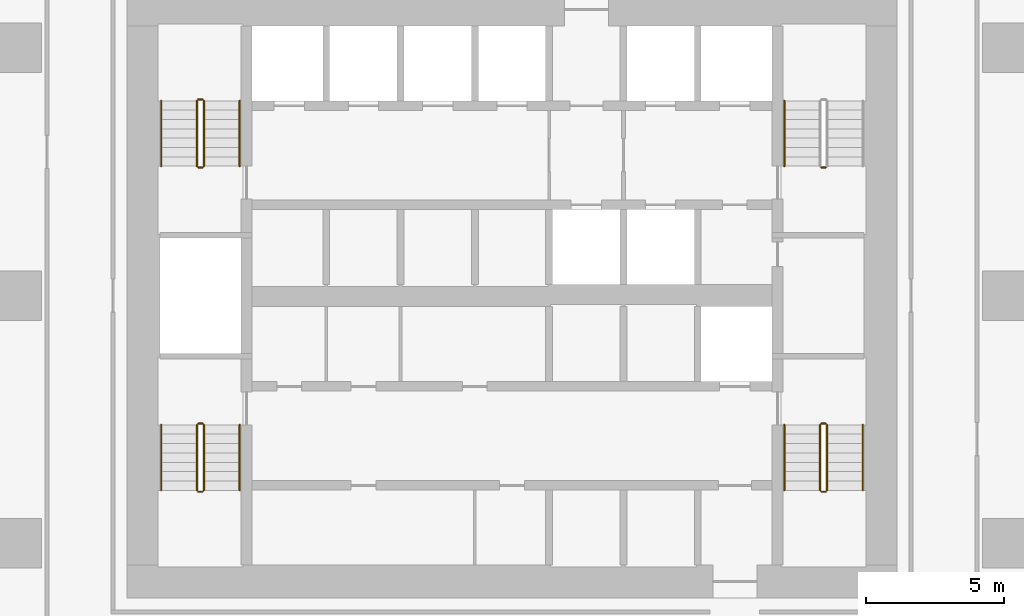
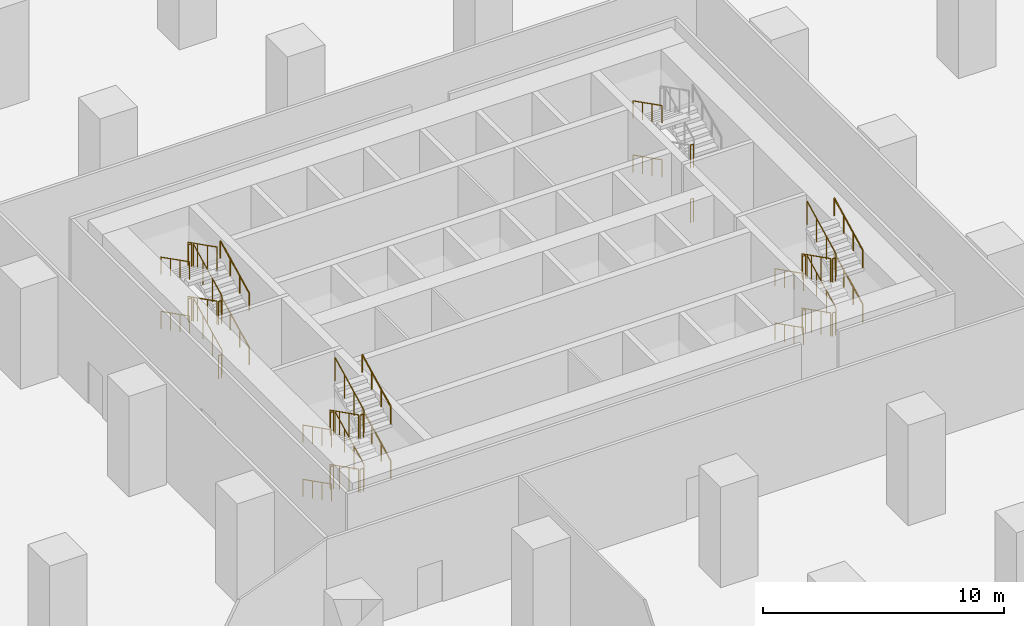
# One storey, part 8 of 9: 40 railings.
"""IFC4 building model written with IfcOpenShell, lengths in metres."""

import ifcopenshell
import ifcopenshell.guid

model = None  # the IFC model being written
_history = None  # IfcOwnerHistory: only IFC2X3 demands one
_inside = {}  # id of a spatial element -> (the spatial element, [elements in it])
_under = {}  # id of a project, library or spatial element -> (it, [spatial elements below it])
_declared = {}  # id of a project -> (the project, [libraries it declares])
_typed = {}  # id of a type object -> (the type object, [elements of that type])
_made_of = {}  # id of a material, layer set ... -> (it, [elements and type objects made of it])


def new_model(schema):
    """Start an empty IFC model of exactly this schema.

    Asked for "IFC4X3", IfcOpenShell would pick the latest addendum, in which some entities
    have other attributes; the version numbers below select the first issue.
    IFC2X3 requires an IfcOwnerHistory on every rooted entity: one is made here for all.
    """
    global model, _history
    if schema == "IFC4X3":
        model = ifcopenshell.file(schema_version=(4, 3, 0, 0))
    else:
        model = ifcopenshell.file(schema=schema)
    _inside.clear()
    _under.clear()
    _declared.clear()
    _typed.clear()
    _made_of.clear()
    _history = None
    if model.schema == "IFC2X3":
        org = make("IfcOrganization", Name="unknown")
        user = make(
            "IfcPersonAndOrganization",
            ThePerson=make("IfcPerson", FamilyName="unknown"),
            TheOrganization=org,
        )
        app = make(
            "IfcApplication",
            ApplicationDeveloper=org,
            Version="unknown",
            ApplicationFullName="unknown",
            ApplicationIdentifier="unknown",
        )
        _history = make(
            "IfcOwnerHistory",
            OwningUser=user,
            OwningApplication=app,
            ChangeAction="ADDED",
            CreationDate=0,
        )
    return model


def make(cls, **values):
    """One entity of the class cls with the attributes given. An attribute that is None is left unset."""
    return model.create_entity(
        cls, **{name: value for name, value in values.items() if value is not None}
    )


def rooted(cls, **values):
    """An entity with a GlobalId (a new one), such as an element, a storey or a relation."""
    return make(cls, GlobalId=ifcopenshell.guid.new(), OwnerHistory=_history, **values)


def si_unit(unit_type, name, prefix=None):
    """IfcSIUnit, for example si_unit("LENGTHUNIT", "METRE", prefix="MILLI")."""
    return make("IfcSIUnit", UnitType=unit_type, Prefix=prefix, Name=name)


def assignment(units):
    """IfcUnitAssignment: the units of a project."""
    return None if units is None else make("IfcUnitAssignment", Units=units)


def point(xyz):
    """IfcCartesianPoint."""
    return None if xyz is None else make("IfcCartesianPoint", Coordinates=xyz)


def direction(xyz):
    """IfcDirection."""
    return None if xyz is None else make("IfcDirection", DirectionRatios=xyz)


def frame(location, z_axis=None, x_axis=None):
    """IfcAxis2Placement3D, a coordinate frame: its origin and axes. An axis left out is left unset."""
    return make(
        "IfcAxis2Placement3D",
        Location=point(location),
        Axis=direction(z_axis),
        RefDirection=direction(x_axis),
    )


def frame_2d(location, x_axis=None):
    """IfcAxis2Placement2D, a coordinate frame in the plane: its origin and x axis."""
    return make(
        "IfcAxis2Placement2D", Location=point(location), RefDirection=direction(x_axis)
    )


def origin():
    """The frame at (0, 0, 0) with its axes left unset."""
    return frame((0.0, 0.0, 0.0))


def origin_2d():
    """The frame at (0, 0) in the plane with its x axis left unset."""
    return frame_2d((0.0, 0.0))


def place(relative_to, where):
    """IfcLocalPlacement: puts the frame where relative to a parent placement (None: the world)."""
    return make(
        "IfcLocalPlacement", PlacementRelTo=relative_to, RelativePlacement=where
    )


def context(
    kind, dimensions, precision=None, world=None, true_north=None, identifier=None
):
    """IfcGeometricRepresentationContext, for example the 3D "Model" context."""
    return make(
        "IfcGeometricRepresentationContext",
        ContextIdentifier=identifier,
        ContextType=kind,
        CoordinateSpaceDimension=dimensions,
        Precision=precision,
        WorldCoordinateSystem=world,
        TrueNorth=true_north,
    )


def subcontext(parent, identifier, kind, view, scale=None):
    """IfcGeometricRepresentationSubContext, for example "Body" below "Model"."""
    return make(
        "IfcGeometricRepresentationSubContext",
        ContextIdentifier=identifier,
        ContextType=kind,
        ParentContext=parent,
        TargetScale=scale,
        TargetView=view,
    )


def project(units=None, contexts=None):
    """IfcProject with its units and contexts."""
    return rooted(
        "IfcProject",
        Name="project",
        RepresentationContexts=contexts,
        UnitsInContext=assignment(units),
    )


def spatial(cls, under=None, at=None, **own):
    """A site, building, storey or space (cls), placed at a placement, below another one or the project."""
    s = rooted(cls, ObjectPlacement=at, **own)
    if under is not None:
        _under.setdefault(under.id(), (under, []))[1].append(s)
    return s


def profile(cls, at=None, kind="AREA", **sizes):
    """A parametric profile (cls). Its sizes go by their IFC names, for example OverallWidth=200.0."""
    return make(cls, ProfileType=kind, Position=at, **sizes)


def circle(**sizes):
    """IfcCircleProfileDef."""
    return profile("IfcCircleProfileDef", **sizes)


def extrude(swept, where, along, depth):
    """IfcExtrudedAreaSolid: the profile swept, set in the frame where, extruded along a direction by depth."""
    return make(
        "IfcExtrudedAreaSolid",
        SweptArea=swept,
        Position=where,
        ExtrudedDirection=direction(along),
        Depth=depth,
    )


def shape(context_of_items, identifier, shape_type, items):
    """IfcShapeRepresentation: the items that make up one representation, for example the "Body"."""
    return make(
        "IfcShapeRepresentation",
        ContextOfItems=context_of_items,
        RepresentationIdentifier=identifier,
        RepresentationType=shape_type,
        Items=items,
    )


def material(Name=None, Category=None):
    """IfcMaterial."""
    return make("IfcMaterial", Name=Name, Category=Category)


def made_of(thing, what):
    """Note that an element or type object is made of a material, layer set ...; save() writes the relation."""
    if what is not None:
        _made_of.setdefault(what.id(), (what, []))[1].append(thing)
    return thing


def type_object(cls, material=None, **own):
    """A type object (cls), such as IfcWallType, which elements share."""
    return made_of(rooted(cls, **own), material)


def element(
    cls,
    number,
    at=None,
    inside=None,
    cuts=None,
    type_object=None,
    material=None,
    context=None,
    identifier="Body",
    shape_type=None,
    held_by="IfcProductDefinitionShape",
    body=None,
    shapes=None,
    **own,
):
    """One element of the class cls, such as IfcWall. Its Tag is "e" and its number.

    at: its placement. inside: the storey or other place that contains it. cuts: it is an
    opening in that element (IfcRelVoidsElement). A single representation is given by context,
    identifier, shape_type and body (its items); several are given by shapes. held_by: the class
    of the entity that holds the representations. save() writes the other relations.
    """
    e = rooted(cls, Tag="e%d" % number, ObjectPlacement=at, **own)
    if body is not None:
        shapes = [shape(context, identifier, shape_type, body)]
    if shapes is not None:
        e.Representation = make(held_by, Representations=shapes)
    if inside is not None:
        _inside.setdefault(inside.id(), (inside, []))[1].append(e)
    if cuts is not None:
        rooted(
            "IfcRelVoidsElement", RelatingBuildingElement=cuts, RelatedOpeningElement=e
        )
    if type_object is not None:
        _typed.setdefault(type_object.id(), (type_object, []))[1].append(e)
    return made_of(e, material)


def aggregate(whole, parts):
    """IfcRelAggregates: a whole, such as a stair, and the parts it consists of."""
    return rooted("IfcRelAggregates", RelatingObject=whole, RelatedObjects=parts)


def save(model, path):
    """Write the relations noted so far, then the file.

    IfcRelAggregates (storeys below a building ...), IfcRelContainedInSpatialStructure (elements
    in a storey), IfcRelDefinesByType, IfcRelAssociatesMaterial and IfcRelDeclares: one each for
    every whole, place, type object, material and project.
    """
    for whole, parts in _under.values():
        aggregate(whole, parts)
    for where, things in _inside.values():
        rooted(
            "IfcRelContainedInSpatialStructure",
            RelatedElements=things,
            RelatingStructure=where,
        )
    for kind, things in _typed.values():
        rooted("IfcRelDefinesByType", RelatedObjects=things, RelatingType=kind)
    for what, things in _made_of.values():
        rooted("IfcRelAssociatesMaterial", RelatedObjects=things, RelatingMaterial=what)
    for by, libraries in _declared.values():
        rooted("IfcRelDeclares", RelatingContext=by, RelatedDefinitions=libraries)
    model.write(path)


model = new_model("IFC4")

# Units and contexts
model_context = context("Model", 3, precision=1e-05, world=origin(), true_north=direction((0.0, 1.0)))
body_context = subcontext(model_context, "Body", "Model", "MODEL_VIEW")
ifc_project = project(units=[si_unit("LENGTHUNIT", "METRE"), si_unit("AREAUNIT", "SQUARE_METRE"), si_unit("VOLUMEUNIT", "CUBIC_METRE"), si_unit("PLANEANGLEUNIT", "RADIAN"), si_unit("MASSUNIT", "GRAM", prefix="KILO")], contexts=[model_context])

# Site, building, storey
site_placement = place(None, origin())
site = spatial("IfcSite", under=ifc_project, at=site_placement, CompositionType="ELEMENT")
building_placement = place(site_placement, origin())
building = spatial("IfcBuilding", under=site, at=building_placement, Name="Dongbaek Canopy Tower", CompositionType="ELEMENT")
storey_placement = place(building_placement, frame((0.0, 0.0, -11.5)))
storey = spatial("IfcBuildingStorey", under=building, at=storey_placement, Name="B2", CompositionType="ELEMENT", Elevation=-11.5)

# Railings
ifc_material_1 = material(Name="Stainless steel tube and balusters", Category="steel")
railing_type_1 = type_object("IfcRailingType", Name="Stair guard 1200", PredefinedType="GUARDRAIL", material=ifc_material_1)
for number, where, name in (
    (1, (11.39990234375, 4.64990234375, 2.75), "B2 ST-A stair guard 4"),
    (2, (11.39990234375, 4.64990234375, 0.0), "B2 ST-A stair guard 8"),
):
    element("IfcRailing", number, at=place(storey_placement, frame(where)), inside=storey, type_object=railing_type_1, Name=name, PredefinedType="GUARDRAIL", context=body_context, shape_type="SweptSolid", body=[
        extrude(circle(Radius=0.02392578125, at=origin_2d()), frame((0.0, 0.0, 1.17578125), z_axis=(-1.0, 0.0, 0.0), x_axis=(0.0, -1.0, 0.0)), (0.0, 0.0, 1.0), 0.14990234375),
        extrude(circle(Radius=0.02099609375, at=origin_2d()), origin(), (0.0, 0.0, 1.0), 1.15185546875),
        extrude(circle(Radius=0.02099609375, at=origin_2d()), frame((-0.14990234375, 0.0, 0.0)), (0.0, 0.0, 1.0), 1.15185546875),
    ])
railing_1_placement = place(storey_placement, frame((-11.199951171875, 4.699951171875, 0.171875)))
element("IfcRailing", 3, at=railing_1_placement, inside=storey, type_object=railing_type_1, Name="B2 ST-C stair guard 1", PredefinedType="GUARDRAIL", context=body_context, shape_type="SweptSolid", body=[
    extrude(circle(Radius=0.02392578125, at=origin_2d()), frame((0.0, 0.0, 1.17578125), z_axis=(0.0, 0.89245957406, 0.451127375215), x_axis=(-1.0, 0.0, 0.0)), (0.0, 0.0, 1.0), 2.6669921875),
    extrude(circle(Radius=0.02099609375, at=origin_2d()), origin(), (0.0, 0.0, 1.0), 1.15185546875),
    extrude(circle(Radius=0.02099609375, at=origin_2d()), frame((0.0, 0.79345703125, 0.401123046875)), (0.0, 0.0, 1.0), 1.15185546875),
    extrude(circle(Radius=0.02099609375, at=origin_2d()), frame((0.0, 1.586669921875, 0.802001953125)), (0.0, 0.0, 1.0), 1.15185546875),
    extrude(circle(Radius=0.02099609375, at=origin_2d()), frame((0.0, 2.380126953125, 1.203125)), (0.0, 0.0, 1.0), 1.15185546875),
])
railing_2_placement = place(storey_placement, frame((-11.25, 7.1298828125, 1.375)))
element("IfcRailing", 4, at=railing_2_placement, inside=storey, type_object=railing_type_1, Name="B2 ST-C stair guard 2", PredefinedType="GUARDRAIL", context=body_context, shape_type="SweptSolid", body=[
    extrude(circle(Radius=0.02392578125, at=origin_2d()), frame((0.0, 0.0, 1.17578125), z_axis=(-1.0, 0.0, 0.0), x_axis=(0.0, -1.0, 0.0)), (0.0, 0.0, 1.0), 0.14990234375),
    extrude(circle(Radius=0.02099609375, at=origin_2d()), origin(), (0.0, 0.0, 1.0), 1.15185546875),
    extrude(circle(Radius=0.02099609375, at=origin_2d()), frame((-0.14990234375, 0.0, 0.0)), (0.0, 0.0, 1.0), 1.15185546875),
])
railing_3_placement = place(storey_placement, frame((-11.449951171875, 7.080078125, 1.546875)))
element("IfcRailing", 5, at=railing_3_placement, inside=storey, type_object=railing_type_1, Name="B2 ST-C stair guard 3", PredefinedType="GUARDRAIL", context=body_context, shape_type="SweptSolid", body=[
    extrude(circle(Radius=0.02392578125, at=origin_2d()), frame((0.0, 0.0, 1.17578125), z_axis=(0.0, -0.89245957406, 0.451127375215), x_axis=(1.0, 0.0, 0.0)), (0.0, 0.0, 1.0), 2.6669921875),
    extrude(circle(Radius=0.02099609375, at=origin_2d()), origin(), (0.0, 0.0, 1.0), 1.15185546875),
    extrude(circle(Radius=0.02099609375, at=origin_2d()), frame((0.0, -0.79345703125, 0.401123046875)), (0.0, 0.0, 1.0), 1.15185546875),
    extrude(circle(Radius=0.02099609375, at=origin_2d()), frame((0.0, -1.586669921875, 0.802001953125)), (0.0, 0.0, 1.0), 1.15185546875),
    extrude(circle(Radius=0.02099609375, at=origin_2d()), frame((0.0, -2.380126953125, 1.203125)), (0.0, 0.0, 1.0), 1.15185546875),
])
railing_4_placement = place(storey_placement, frame((-11.25, 4.64990234375, 2.75)))
element("IfcRailing", 6, at=railing_4_placement, inside=storey, type_object=railing_type_1, Name="B2 ST-C stair guard 4", PredefinedType="GUARDRAIL", context=body_context, shape_type="SweptSolid", body=[
    extrude(circle(Radius=0.02392578125, at=origin_2d()), frame((0.0, 0.0, 1.17578125), z_axis=(-1.0, 0.0, 0.0), x_axis=(0.0, -1.0, 0.0)), (0.0, 0.0, 1.0), 0.14990234375),
    extrude(circle(Radius=0.02099609375, at=origin_2d()), origin(), (0.0, 0.0, 1.0), 1.15185546875),
    extrude(circle(Radius=0.02099609375, at=origin_2d()), frame((-0.14990234375, 0.0, 0.0)), (0.0, 0.0, 1.0), 1.15185546875),
])
railing_5_placement = place(storey_placement, frame((-11.199951171875, 4.699951171875, 2.921875)))
element("IfcRailing", 7, at=railing_5_placement, inside=storey, type_object=railing_type_1, Name="B2 ST-C stair guard 5", PredefinedType="GUARDRAIL", context=body_context, shape_type="SweptSolid", body=[
    extrude(circle(Radius=0.02392578125, at=origin_2d()), frame((0.0, 0.0, 1.17578125), z_axis=(0.0, 0.89245957406, 0.451127375215), x_axis=(-1.0, 0.0, 0.0)), (0.0, 0.0, 1.0), 2.6669921875),
    extrude(circle(Radius=0.02099609375, at=origin_2d()), origin(), (0.0, 0.0, 1.0), 1.15185546875),
    extrude(circle(Radius=0.02099609375, at=origin_2d()), frame((0.0, 0.79345703125, 0.401123046875)), (0.0, 0.0, 1.0), 1.15185546875),
    extrude(circle(Radius=0.02099609375, at=origin_2d()), frame((0.0, 1.586669921875, 0.802001953125)), (0.0, 0.0, 1.0), 1.15185546875),
    extrude(circle(Radius=0.02099609375, at=origin_2d()), frame((0.0, 2.380126953125, 1.203125)), (0.0, 0.0, 1.0), 1.15185546875),
])
railing_6_placement = place(storey_placement, frame((-11.25, 7.1298828125, 4.125)))
element("IfcRailing", 8, at=railing_6_placement, inside=storey, type_object=railing_type_1, Name="B2 ST-C stair guard 6", PredefinedType="GUARDRAIL", context=body_context, shape_type="SweptSolid", body=[
    extrude(circle(Radius=0.02392578125, at=origin_2d()), frame((0.0, 0.0, 1.17578125), z_axis=(-1.0, 0.0, 0.0), x_axis=(0.0, -1.0, 0.0)), (0.0, 0.0, 1.0), 0.14990234375),
    extrude(circle(Radius=0.02099609375, at=origin_2d()), origin(), (0.0, 0.0, 1.0), 1.15185546875),
    extrude(circle(Radius=0.02099609375, at=origin_2d()), frame((-0.14990234375, 0.0, 0.0)), (0.0, 0.0, 1.0), 1.15185546875),
])
railing_7_placement = place(storey_placement, frame((-11.449951171875, 7.080078125, 4.296875)))
element("IfcRailing", 9, at=railing_7_placement, inside=storey, type_object=railing_type_1, Name="B2 ST-C stair guard 7", PredefinedType="GUARDRAIL", context=body_context, shape_type="SweptSolid", body=[
    extrude(circle(Radius=0.02392578125, at=origin_2d()), frame((0.0, 0.0, 1.17578125), z_axis=(0.0, -0.89245957406, 0.451127375215), x_axis=(1.0, 0.0, 0.0)), (0.0, 0.0, 1.0), 2.6669921875),
    extrude(circle(Radius=0.02099609375, at=origin_2d()), origin(), (0.0, 0.0, 1.0), 1.15185546875),
    extrude(circle(Radius=0.02099609375, at=origin_2d()), frame((0.0, -0.79345703125, 0.401123046875)), (0.0, 0.0, 1.0), 1.15185546875),
    extrude(circle(Radius=0.02099609375, at=origin_2d()), frame((0.0, -1.586669921875, 0.802001953125)), (0.0, 0.0, 1.0), 1.15185546875),
    extrude(circle(Radius=0.02099609375, at=origin_2d()), frame((0.0, -2.380126953125, 1.203125)), (0.0, 0.0, 1.0), 1.15185546875),
])
railing_8_placement = place(storey_placement, frame((-11.25, 4.64990234375, 0.0)))
element("IfcRailing", 10, at=railing_8_placement, inside=storey, type_object=railing_type_1, Name="B2 ST-C stair guard 8", PredefinedType="GUARDRAIL", context=body_context, shape_type="SweptSolid", body=[
    extrude(circle(Radius=0.02392578125, at=origin_2d()), frame((0.0, 0.0, 1.17578125), z_axis=(-1.0, 0.0, 0.0), x_axis=(0.0, -1.0, 0.0)), (0.0, 0.0, 1.0), 0.14990234375),
    extrude(circle(Radius=0.02099609375, at=origin_2d()), origin(), (0.0, 0.0, 1.0), 1.15185546875),
    extrude(circle(Radius=0.02099609375, at=origin_2d()), frame((-0.14990234375, 0.0, 0.0)), (0.0, 0.0, 1.0), 1.15185546875),
])
railing_9_placement = place(storey_placement, frame((11.199951171875, -4.699951171875, 0.171875)))
element("IfcRailing", 11, at=railing_9_placement, inside=storey, type_object=railing_type_1, Name="B2 ST-B stair guard 1", PredefinedType="GUARDRAIL", context=body_context, shape_type="SweptSolid", body=[
    extrude(circle(Radius=0.02392578125, at=origin_2d()), frame((0.0, 0.0, 1.17578125), z_axis=(0.0, -0.89245957406, 0.451127375215), x_axis=(1.0, 0.0, 0.0)), (0.0, 0.0, 1.0), 2.6669921875),
    extrude(circle(Radius=0.02099609375, at=origin_2d()), origin(), (0.0, 0.0, 1.0), 1.15185546875),
    extrude(circle(Radius=0.02099609375, at=origin_2d()), frame((0.0, -0.79345703125, 0.401123046875)), (0.0, 0.0, 1.0), 1.15185546875),
    extrude(circle(Radius=0.02099609375, at=origin_2d()), frame((0.0, -1.586669921875, 0.802001953125)), (0.0, 0.0, 1.0), 1.15185546875),
    extrude(circle(Radius=0.02099609375, at=origin_2d()), frame((0.0, -2.380126953125, 1.203125)), (0.0, 0.0, 1.0), 1.15185546875),
])
railing_10_placement = place(storey_placement, frame((11.25, -7.1298828125, 1.375)))
element("IfcRailing", 12, at=railing_10_placement, inside=storey, type_object=railing_type_1, Name="B2 ST-B stair guard 2", PredefinedType="GUARDRAIL", context=body_context, shape_type="SweptSolid", body=[
    extrude(circle(Radius=0.02392578125, at=origin_2d()), frame((0.0, 0.0, 1.17578125), z_axis=(1.0, 0.0, 0.0), x_axis=(0.0, 1.0, 0.0)), (0.0, 0.0, 1.0), 0.14990234375),
    extrude(circle(Radius=0.02099609375, at=origin_2d()), origin(), (0.0, 0.0, 1.0), 1.15185546875),
    extrude(circle(Radius=0.02099609375, at=origin_2d()), frame((0.14990234375, 0.0, 0.0)), (0.0, 0.0, 1.0), 1.15185546875),
])
railing_11_placement = place(storey_placement, frame((11.449951171875, -7.080078125, 1.546875)))
element("IfcRailing", 13, at=railing_11_placement, inside=storey, type_object=railing_type_1, Name="B2 ST-B stair guard 3", PredefinedType="GUARDRAIL", context=body_context, shape_type="SweptSolid", body=[
    extrude(circle(Radius=0.02392578125, at=origin_2d()), frame((0.0, 0.0, 1.17578125), z_axis=(0.0, 0.89245957406, 0.451127375215), x_axis=(-1.0, 0.0, 0.0)), (0.0, 0.0, 1.0), 2.6669921875),
    extrude(circle(Radius=0.02099609375, at=origin_2d()), origin(), (0.0, 0.0, 1.0), 1.15185546875),
    extrude(circle(Radius=0.02099609375, at=origin_2d()), frame((0.0, 0.79345703125, 0.401123046875)), (0.0, 0.0, 1.0), 1.15185546875),
    extrude(circle(Radius=0.02099609375, at=origin_2d()), frame((0.0, 1.586669921875, 0.802001953125)), (0.0, 0.0, 1.0), 1.15185546875),
    extrude(circle(Radius=0.02099609375, at=origin_2d()), frame((0.0, 2.380126953125, 1.203125)), (0.0, 0.0, 1.0), 1.15185546875),
])
railing_12_placement = place(storey_placement, frame((11.25, -4.64990234375, 2.75)))
element("IfcRailing", 14, at=railing_12_placement, inside=storey, type_object=railing_type_1, Name="B2 ST-B stair guard 4", PredefinedType="GUARDRAIL", context=body_context, shape_type="SweptSolid", body=[
    extrude(circle(Radius=0.02392578125, at=origin_2d()), frame((0.0, 0.0, 1.17578125), z_axis=(1.0, 0.0, 0.0), x_axis=(0.0, 1.0, 0.0)), (0.0, 0.0, 1.0), 0.14990234375),
    extrude(circle(Radius=0.02099609375, at=origin_2d()), origin(), (0.0, 0.0, 1.0), 1.15185546875),
    extrude(circle(Radius=0.02099609375, at=origin_2d()), frame((0.14990234375, 0.0, 0.0)), (0.0, 0.0, 1.0), 1.15185546875),
])
railing_13_placement = place(storey_placement, frame((11.199951171875, -4.699951171875, 2.921875)))
element("IfcRailing", 15, at=railing_13_placement, inside=storey, type_object=railing_type_1, Name="B2 ST-B stair guard 5", PredefinedType="GUARDRAIL", context=body_context, shape_type="SweptSolid", body=[
    extrude(circle(Radius=0.02392578125, at=origin_2d()), frame((0.0, 0.0, 1.17578125), z_axis=(0.0, -0.89245957406, 0.451127375215), x_axis=(1.0, 0.0, 0.0)), (0.0, 0.0, 1.0), 2.6669921875),
    extrude(circle(Radius=0.02099609375, at=origin_2d()), origin(), (0.0, 0.0, 1.0), 1.15185546875),
    extrude(circle(Radius=0.02099609375, at=origin_2d()), frame((0.0, -0.79345703125, 0.401123046875)), (0.0, 0.0, 1.0), 1.15185546875),
    extrude(circle(Radius=0.02099609375, at=origin_2d()), frame((0.0, -1.586669921875, 0.802001953125)), (0.0, 0.0, 1.0), 1.15185546875),
    extrude(circle(Radius=0.02099609375, at=origin_2d()), frame((0.0, -2.380126953125, 1.203125)), (0.0, 0.0, 1.0), 1.15185546875),
])
railing_14_placement = place(storey_placement, frame((11.25, -7.1298828125, 4.125)))
element("IfcRailing", 16, at=railing_14_placement, inside=storey, type_object=railing_type_1, Name="B2 ST-B stair guard 6", PredefinedType="GUARDRAIL", context=body_context, shape_type="SweptSolid", body=[
    extrude(circle(Radius=0.02392578125, at=origin_2d()), frame((0.0, 0.0, 1.17578125), z_axis=(1.0, 0.0, 0.0), x_axis=(0.0, 1.0, 0.0)), (0.0, 0.0, 1.0), 0.14990234375),
    extrude(circle(Radius=0.02099609375, at=origin_2d()), origin(), (0.0, 0.0, 1.0), 1.15185546875),
    extrude(circle(Radius=0.02099609375, at=origin_2d()), frame((0.14990234375, 0.0, 0.0)), (0.0, 0.0, 1.0), 1.15185546875),
])
railing_15_placement = place(storey_placement, frame((11.449951171875, -7.080078125, 4.296875)))
element("IfcRailing", 17, at=railing_15_placement, inside=storey, type_object=railing_type_1, Name="B2 ST-B stair guard 7", PredefinedType="GUARDRAIL", context=body_context, shape_type="SweptSolid", body=[
    extrude(circle(Radius=0.02392578125, at=origin_2d()), frame((0.0, 0.0, 1.17578125), z_axis=(0.0, 0.89245957406, 0.451127375215), x_axis=(-1.0, 0.0, 0.0)), (0.0, 0.0, 1.0), 2.6669921875),
    extrude(circle(Radius=0.02099609375, at=origin_2d()), origin(), (0.0, 0.0, 1.0), 1.15185546875),
    extrude(circle(Radius=0.02099609375, at=origin_2d()), frame((0.0, 0.79345703125, 0.401123046875)), (0.0, 0.0, 1.0), 1.15185546875),
    extrude(circle(Radius=0.02099609375, at=origin_2d()), frame((0.0, 1.586669921875, 0.802001953125)), (0.0, 0.0, 1.0), 1.15185546875),
    extrude(circle(Radius=0.02099609375, at=origin_2d()), frame((0.0, 2.380126953125, 1.203125)), (0.0, 0.0, 1.0), 1.15185546875),
])
railing_16_placement = place(storey_placement, frame((11.25, -4.64990234375, 0.0)))
element("IfcRailing", 18, at=railing_16_placement, inside=storey, type_object=railing_type_1, Name="B2 ST-B stair guard 8", PredefinedType="GUARDRAIL", context=body_context, shape_type="SweptSolid", body=[
    extrude(circle(Radius=0.02392578125, at=origin_2d()), frame((0.0, 0.0, 1.17578125), z_axis=(1.0, 0.0, 0.0), x_axis=(0.0, 1.0, 0.0)), (0.0, 0.0, 1.0), 0.14990234375),
    extrude(circle(Radius=0.02099609375, at=origin_2d()), origin(), (0.0, 0.0, 1.0), 1.15185546875),
    extrude(circle(Radius=0.02099609375, at=origin_2d()), frame((0.14990234375, 0.0, 0.0)), (0.0, 0.0, 1.0), 1.15185546875),
])
railing_17_placement = place(storey_placement, frame((-11.449951171875, -4.699951171875, 0.171875)))
element("IfcRailing", 19, at=railing_17_placement, inside=storey, type_object=railing_type_1, Name="B2 ST-D stair guard 1", PredefinedType="GUARDRAIL", context=body_context, shape_type="SweptSolid", body=[
    extrude(circle(Radius=0.02392578125, at=origin_2d()), frame((0.0, 0.0, 1.17578125), z_axis=(0.0, -0.89245957406, 0.451127375215), x_axis=(1.0, 0.0, 0.0)), (0.0, 0.0, 1.0), 2.6669921875),
    extrude(circle(Radius=0.02099609375, at=origin_2d()), origin(), (0.0, 0.0, 1.0), 1.15185546875),
    extrude(circle(Radius=0.02099609375, at=origin_2d()), frame((0.0, -0.79345703125, 0.401123046875)), (0.0, 0.0, 1.0), 1.15185546875),
    extrude(circle(Radius=0.02099609375, at=origin_2d()), frame((0.0, -1.586669921875, 0.802001953125)), (0.0, 0.0, 1.0), 1.15185546875),
    extrude(circle(Radius=0.02099609375, at=origin_2d()), frame((0.0, -2.380126953125, 1.203125)), (0.0, 0.0, 1.0), 1.15185546875),
])
railing_18_placement = place(storey_placement, frame((-11.39990234375, -7.1298828125, 1.375)))
element("IfcRailing", 20, at=railing_18_placement, inside=storey, type_object=railing_type_1, Name="B2 ST-D stair guard 2", PredefinedType="GUARDRAIL", context=body_context, shape_type="SweptSolid", body=[
    extrude(circle(Radius=0.02392578125, at=origin_2d()), frame((0.0, 0.0, 1.17578125), z_axis=(1.0, 0.0, 0.0), x_axis=(0.0, 1.0, 0.0)), (0.0, 0.0, 1.0), 0.14990234375),
    extrude(circle(Radius=0.02099609375, at=origin_2d()), origin(), (0.0, 0.0, 1.0), 1.15185546875),
    extrude(circle(Radius=0.02099609375, at=origin_2d()), frame((0.14990234375, 0.0, 0.0)), (0.0, 0.0, 1.0), 1.15185546875),
])
railing_19_placement = place(storey_placement, frame((-11.199951171875, -7.080078125, 1.546875)))
element("IfcRailing", 21, at=railing_19_placement, inside=storey, type_object=railing_type_1, Name="B2 ST-D stair guard 3", PredefinedType="GUARDRAIL", context=body_context, shape_type="SweptSolid", body=[
    extrude(circle(Radius=0.02392578125, at=origin_2d()), frame((0.0, 0.0, 1.17578125), z_axis=(0.0, 0.89245957406, 0.451127375215), x_axis=(-1.0, 0.0, 0.0)), (0.0, 0.0, 1.0), 2.6669921875),
    extrude(circle(Radius=0.02099609375, at=origin_2d()), origin(), (0.0, 0.0, 1.0), 1.15185546875),
    extrude(circle(Radius=0.02099609375, at=origin_2d()), frame((0.0, 0.79345703125, 0.401123046875)), (0.0, 0.0, 1.0), 1.15185546875),
    extrude(circle(Radius=0.02099609375, at=origin_2d()), frame((0.0, 1.586669921875, 0.802001953125)), (0.0, 0.0, 1.0), 1.15185546875),
    extrude(circle(Radius=0.02099609375, at=origin_2d()), frame((0.0, 2.380126953125, 1.203125)), (0.0, 0.0, 1.0), 1.15185546875),
])
railing_20_placement = place(storey_placement, frame((-11.39990234375, -4.64990234375, 2.75)))
element("IfcRailing", 22, at=railing_20_placement, inside=storey, type_object=railing_type_1, Name="B2 ST-D stair guard 4", PredefinedType="GUARDRAIL", context=body_context, shape_type="SweptSolid", body=[
    extrude(circle(Radius=0.02392578125, at=origin_2d()), frame((0.0, 0.0, 1.17578125), z_axis=(1.0, 0.0, 0.0), x_axis=(0.0, 1.0, 0.0)), (0.0, 0.0, 1.0), 0.14990234375),
    extrude(circle(Radius=0.02099609375, at=origin_2d()), origin(), (0.0, 0.0, 1.0), 1.15185546875),
    extrude(circle(Radius=0.02099609375, at=origin_2d()), frame((0.14990234375, 0.0, 0.0)), (0.0, 0.0, 1.0), 1.15185546875),
])
railing_21_placement = place(storey_placement, frame((-11.449951171875, -4.699951171875, 2.921875)))
element("IfcRailing", 23, at=railing_21_placement, inside=storey, type_object=railing_type_1, Name="B2 ST-D stair guard 5", PredefinedType="GUARDRAIL", context=body_context, shape_type="SweptSolid", body=[
    extrude(circle(Radius=0.02392578125, at=origin_2d()), frame((0.0, 0.0, 1.17578125), z_axis=(0.0, -0.89245957406, 0.451127375215), x_axis=(1.0, 0.0, 0.0)), (0.0, 0.0, 1.0), 2.6669921875),
    extrude(circle(Radius=0.02099609375, at=origin_2d()), origin(), (0.0, 0.0, 1.0), 1.15185546875),
    extrude(circle(Radius=0.02099609375, at=origin_2d()), frame((0.0, -0.79345703125, 0.401123046875)), (0.0, 0.0, 1.0), 1.15185546875),
    extrude(circle(Radius=0.02099609375, at=origin_2d()), frame((0.0, -1.586669921875, 0.802001953125)), (0.0, 0.0, 1.0), 1.15185546875),
    extrude(circle(Radius=0.02099609375, at=origin_2d()), frame((0.0, -2.380126953125, 1.203125)), (0.0, 0.0, 1.0), 1.15185546875),
])
railing_22_placement = place(storey_placement, frame((-11.39990234375, -7.1298828125, 4.125)))
element("IfcRailing", 24, at=railing_22_placement, inside=storey, type_object=railing_type_1, Name="B2 ST-D stair guard 6", PredefinedType="GUARDRAIL", context=body_context, shape_type="SweptSolid", body=[
    extrude(circle(Radius=0.02392578125, at=origin_2d()), frame((0.0, 0.0, 1.17578125), z_axis=(1.0, 0.0, 0.0), x_axis=(0.0, 1.0, 0.0)), (0.0, 0.0, 1.0), 0.14990234375),
    extrude(circle(Radius=0.02099609375, at=origin_2d()), origin(), (0.0, 0.0, 1.0), 1.15185546875),
    extrude(circle(Radius=0.02099609375, at=origin_2d()), frame((0.14990234375, 0.0, 0.0)), (0.0, 0.0, 1.0), 1.15185546875),
])
railing_23_placement = place(storey_placement, frame((-11.199951171875, -7.080078125, 4.296875)))
element("IfcRailing", 25, at=railing_23_placement, inside=storey, type_object=railing_type_1, Name="B2 ST-D stair guard 7", PredefinedType="GUARDRAIL", context=body_context, shape_type="SweptSolid", body=[
    extrude(circle(Radius=0.02392578125, at=origin_2d()), frame((0.0, 0.0, 1.17578125), z_axis=(0.0, 0.89245957406, 0.451127375215), x_axis=(-1.0, 0.0, 0.0)), (0.0, 0.0, 1.0), 2.6669921875),
    extrude(circle(Radius=0.02099609375, at=origin_2d()), origin(), (0.0, 0.0, 1.0), 1.15185546875),
    extrude(circle(Radius=0.02099609375, at=origin_2d()), frame((0.0, 0.79345703125, 0.401123046875)), (0.0, 0.0, 1.0), 1.15185546875),
    extrude(circle(Radius=0.02099609375, at=origin_2d()), frame((0.0, 1.586669921875, 0.802001953125)), (0.0, 0.0, 1.0), 1.15185546875),
    extrude(circle(Radius=0.02099609375, at=origin_2d()), frame((0.0, 2.380126953125, 1.203125)), (0.0, 0.0, 1.0), 1.15185546875),
])
railing_24_placement = place(storey_placement, frame((-11.39990234375, -4.64990234375, 0.0)))
element("IfcRailing", 26, at=railing_24_placement, inside=storey, type_object=railing_type_1, Name="B2 ST-D stair guard 8", PredefinedType="GUARDRAIL", context=body_context, shape_type="SweptSolid", body=[
    extrude(circle(Radius=0.02392578125, at=origin_2d()), frame((0.0, 0.0, 1.17578125), z_axis=(1.0, 0.0, 0.0), x_axis=(0.0, 1.0, 0.0)), (0.0, 0.0, 1.0), 0.14990234375),
    extrude(circle(Radius=0.02099609375, at=origin_2d()), origin(), (0.0, 0.0, 1.0), 1.15185546875),
    extrude(circle(Radius=0.02099609375, at=origin_2d()), frame((0.14990234375, 0.0, 0.0)), (0.0, 0.0, 1.0), 1.15185546875),
])
ifc_material_2 = material(Name="Stainless steel tube", Category="steel")
railing_type_2 = type_object("IfcRailingType", Name="Stair handrail 900", PredefinedType="HANDRAIL", material=ifc_material_2)
for number, where, name in (
    (27, (9.89990234375, 7.080078125, 1.546875), "B2 ST-A stair handrail 2"),
    (28, (9.89990234375, 7.080078125, 4.296875), "B2 ST-A stair handrail 4"),
):
    element("IfcRailing", number, at=place(storey_placement, frame(where)), inside=storey, type_object=railing_type_2, Name=name, PredefinedType="HANDRAIL", context=body_context, shape_type="SweptSolid", body=[
        extrude(circle(Radius=0.02392578125, at=origin_2d()), frame((0.0, 0.0, 0.8759765625), z_axis=(0.0, -0.89245957406, 0.451127375215), x_axis=(1.0, 0.0, 0.0)), (0.0, 0.0, 1.0), 2.6669921875),
        extrude(circle(Radius=0.02099609375, at=origin_2d()), origin(), (0.0, 0.0, 1.0), 0.851806640625),
        extrude(circle(Radius=0.02099609375, at=origin_2d()), frame((0.0, -0.79345703125, 0.401123046875)), (0.0, 0.0, 1.0), 0.851806640625),
        extrude(circle(Radius=0.02099609375, at=origin_2d()), frame((0.0, -1.586669921875, 0.802001953125)), (0.0, 0.0, 1.0), 0.851806640625),
        extrude(circle(Radius=0.02099609375, at=origin_2d()), frame((0.0, -2.380126953125, 1.203125)), (0.0, 0.0, 1.0), 0.851806640625),
    ])
railing_25_placement = place(storey_placement, frame((-9.89990234375, 4.699951171875, 0.171875)))
element("IfcRailing", 29, at=railing_25_placement, inside=storey, type_object=railing_type_2, Name="B2 ST-C stair handrail 1", PredefinedType="HANDRAIL", context=body_context, shape_type="SweptSolid", body=[
    extrude(circle(Radius=0.02392578125, at=origin_2d()), frame((0.0, 0.0, 0.8759765625), z_axis=(0.0, 0.89245957406, 0.451127375215), x_axis=(-1.0, 0.0, 0.0)), (0.0, 0.0, 1.0), 2.6669921875),
    extrude(circle(Radius=0.02099609375, at=origin_2d()), origin(), (0.0, 0.0, 1.0), 0.851806640625),
    extrude(circle(Radius=0.02099609375, at=origin_2d()), frame((0.0, 0.79345703125, 0.401123046875)), (0.0, 0.0, 1.0), 0.851806640625),
    extrude(circle(Radius=0.02099609375, at=origin_2d()), frame((0.0, 1.586669921875, 0.802001953125)), (0.0, 0.0, 1.0), 0.851806640625),
    extrude(circle(Radius=0.02099609375, at=origin_2d()), frame((0.0, 2.380126953125, 1.203125)), (0.0, 0.0, 1.0), 0.851806640625),
])
railing_26_placement = place(storey_placement, frame((-12.75, 7.080078125, 1.546875)))
element("IfcRailing", 30, at=railing_26_placement, inside=storey, type_object=railing_type_2, Name="B2 ST-C stair handrail 2", PredefinedType="HANDRAIL", context=body_context, shape_type="SweptSolid", body=[
    extrude(circle(Radius=0.02392578125, at=origin_2d()), frame((0.0, 0.0, 0.8759765625), z_axis=(0.0, -0.89245957406, 0.451127375215), x_axis=(1.0, 0.0, 0.0)), (0.0, 0.0, 1.0), 2.6669921875),
    extrude(circle(Radius=0.02099609375, at=origin_2d()), origin(), (0.0, 0.0, 1.0), 0.851806640625),
    extrude(circle(Radius=0.02099609375, at=origin_2d()), frame((0.0, -0.79345703125, 0.401123046875)), (0.0, 0.0, 1.0), 0.851806640625),
    extrude(circle(Radius=0.02099609375, at=origin_2d()), frame((0.0, -1.586669921875, 0.802001953125)), (0.0, 0.0, 1.0), 0.851806640625),
    extrude(circle(Radius=0.02099609375, at=origin_2d()), frame((0.0, -2.380126953125, 1.203125)), (0.0, 0.0, 1.0), 0.851806640625),
])
railing_27_placement = place(storey_placement, frame((-9.89990234375, 4.699951171875, 2.921875)))
element("IfcRailing", 31, at=railing_27_placement, inside=storey, type_object=railing_type_2, Name="B2 ST-C stair handrail 3", PredefinedType="HANDRAIL", context=body_context, shape_type="SweptSolid", body=[
    extrude(circle(Radius=0.02392578125, at=origin_2d()), frame((0.0, 0.0, 0.8759765625), z_axis=(0.0, 0.89245957406, 0.451127375215), x_axis=(-1.0, 0.0, 0.0)), (0.0, 0.0, 1.0), 2.6669921875),
    extrude(circle(Radius=0.02099609375, at=origin_2d()), origin(), (0.0, 0.0, 1.0), 0.851806640625),
    extrude(circle(Radius=0.02099609375, at=origin_2d()), frame((0.0, 0.79345703125, 0.401123046875)), (0.0, 0.0, 1.0), 0.851806640625),
    extrude(circle(Radius=0.02099609375, at=origin_2d()), frame((0.0, 1.586669921875, 0.802001953125)), (0.0, 0.0, 1.0), 0.851806640625),
    extrude(circle(Radius=0.02099609375, at=origin_2d()), frame((0.0, 2.380126953125, 1.203125)), (0.0, 0.0, 1.0), 0.851806640625),
])
for number, where, name in (
    (32, (-12.75, 7.080078125, 4.296875), "B2 ST-C stair handrail 4"),
    (33, (9.89990234375, -4.699951171875, 0.171875), "B2 ST-B stair handrail 1"),
):
    element("IfcRailing", number, at=place(storey_placement, frame(where)), inside=storey, type_object=railing_type_2, Name=name, PredefinedType="HANDRAIL", context=body_context, shape_type="SweptSolid", body=[
        extrude(circle(Radius=0.02392578125, at=origin_2d()), frame((0.0, 0.0, 0.8759765625), z_axis=(0.0, -0.89245957406, 0.451127375215), x_axis=(1.0, 0.0, 0.0)), (0.0, 0.0, 1.0), 2.6669921875),
        extrude(circle(Radius=0.02099609375, at=origin_2d()), origin(), (0.0, 0.0, 1.0), 0.851806640625),
        extrude(circle(Radius=0.02099609375, at=origin_2d()), frame((0.0, -0.79345703125, 0.401123046875)), (0.0, 0.0, 1.0), 0.851806640625),
        extrude(circle(Radius=0.02099609375, at=origin_2d()), frame((0.0, -1.586669921875, 0.802001953125)), (0.0, 0.0, 1.0), 0.851806640625),
        extrude(circle(Radius=0.02099609375, at=origin_2d()), frame((0.0, -2.380126953125, 1.203125)), (0.0, 0.0, 1.0), 0.851806640625),
    ])
railing_28_placement = place(storey_placement, frame((12.75, -7.080078125, 1.546875)))
element("IfcRailing", 34, at=railing_28_placement, inside=storey, type_object=railing_type_2, Name="B2 ST-B stair handrail 2", PredefinedType="HANDRAIL", context=body_context, shape_type="SweptSolid", body=[
    extrude(circle(Radius=0.02392578125, at=origin_2d()), frame((0.0, 0.0, 0.8759765625), z_axis=(0.0, 0.89245957406, 0.451127375215), x_axis=(-1.0, 0.0, 0.0)), (0.0, 0.0, 1.0), 2.6669921875),
    extrude(circle(Radius=0.02099609375, at=origin_2d()), origin(), (0.0, 0.0, 1.0), 0.851806640625),
    extrude(circle(Radius=0.02099609375, at=origin_2d()), frame((0.0, 0.79345703125, 0.401123046875)), (0.0, 0.0, 1.0), 0.851806640625),
    extrude(circle(Radius=0.02099609375, at=origin_2d()), frame((0.0, 1.586669921875, 0.802001953125)), (0.0, 0.0, 1.0), 0.851806640625),
    extrude(circle(Radius=0.02099609375, at=origin_2d()), frame((0.0, 2.380126953125, 1.203125)), (0.0, 0.0, 1.0), 0.851806640625),
])
railing_29_placement = place(storey_placement, frame((9.89990234375, -4.699951171875, 2.921875)))
element("IfcRailing", 35, at=railing_29_placement, inside=storey, type_object=railing_type_2, Name="B2 ST-B stair handrail 3", PredefinedType="HANDRAIL", context=body_context, shape_type="SweptSolid", body=[
    extrude(circle(Radius=0.02392578125, at=origin_2d()), frame((0.0, 0.0, 0.8759765625), z_axis=(0.0, -0.89245957406, 0.451127375215), x_axis=(1.0, 0.0, 0.0)), (0.0, 0.0, 1.0), 2.6669921875),
    extrude(circle(Radius=0.02099609375, at=origin_2d()), origin(), (0.0, 0.0, 1.0), 0.851806640625),
    extrude(circle(Radius=0.02099609375, at=origin_2d()), frame((0.0, -0.79345703125, 0.401123046875)), (0.0, 0.0, 1.0), 0.851806640625),
    extrude(circle(Radius=0.02099609375, at=origin_2d()), frame((0.0, -1.586669921875, 0.802001953125)), (0.0, 0.0, 1.0), 0.851806640625),
    extrude(circle(Radius=0.02099609375, at=origin_2d()), frame((0.0, -2.380126953125, 1.203125)), (0.0, 0.0, 1.0), 0.851806640625),
])
railing_30_placement = place(storey_placement, frame((12.75, -7.080078125, 4.296875)))
element("IfcRailing", 36, at=railing_30_placement, inside=storey, type_object=railing_type_2, Name="B2 ST-B stair handrail 4", PredefinedType="HANDRAIL", context=body_context, shape_type="SweptSolid", body=[
    extrude(circle(Radius=0.02392578125, at=origin_2d()), frame((0.0, 0.0, 0.8759765625), z_axis=(0.0, 0.89245957406, 0.451127375215), x_axis=(-1.0, 0.0, 0.0)), (0.0, 0.0, 1.0), 2.6669921875),
    extrude(circle(Radius=0.02099609375, at=origin_2d()), origin(), (0.0, 0.0, 1.0), 0.851806640625),
    extrude(circle(Radius=0.02099609375, at=origin_2d()), frame((0.0, 0.79345703125, 0.401123046875)), (0.0, 0.0, 1.0), 0.851806640625),
    extrude(circle(Radius=0.02099609375, at=origin_2d()), frame((0.0, 1.586669921875, 0.802001953125)), (0.0, 0.0, 1.0), 0.851806640625),
    extrude(circle(Radius=0.02099609375, at=origin_2d()), frame((0.0, 2.380126953125, 1.203125)), (0.0, 0.0, 1.0), 0.851806640625),
])
railing_31_placement = place(storey_placement, frame((-12.75, -4.699951171875, 0.171875)))
element("IfcRailing", 37, at=railing_31_placement, inside=storey, type_object=railing_type_2, Name="B2 ST-D stair handrail 1", PredefinedType="HANDRAIL", context=body_context, shape_type="SweptSolid", body=[
    extrude(circle(Radius=0.02392578125, at=origin_2d()), frame((0.0, 0.0, 0.8759765625), z_axis=(0.0, -0.89245957406, 0.451127375215), x_axis=(1.0, 0.0, 0.0)), (0.0, 0.0, 1.0), 2.6669921875),
    extrude(circle(Radius=0.02099609375, at=origin_2d()), origin(), (0.0, 0.0, 1.0), 0.851806640625),
    extrude(circle(Radius=0.02099609375, at=origin_2d()), frame((0.0, -0.79345703125, 0.401123046875)), (0.0, 0.0, 1.0), 0.851806640625),
    extrude(circle(Radius=0.02099609375, at=origin_2d()), frame((0.0, -1.586669921875, 0.802001953125)), (0.0, 0.0, 1.0), 0.851806640625),
    extrude(circle(Radius=0.02099609375, at=origin_2d()), frame((0.0, -2.380126953125, 1.203125)), (0.0, 0.0, 1.0), 0.851806640625),
])
railing_32_placement = place(storey_placement, frame((-9.89990234375, -7.080078125, 1.546875)))
element("IfcRailing", 38, at=railing_32_placement, inside=storey, type_object=railing_type_2, Name="B2 ST-D stair handrail 2", PredefinedType="HANDRAIL", context=body_context, shape_type="SweptSolid", body=[
    extrude(circle(Radius=0.02392578125, at=origin_2d()), frame((0.0, 0.0, 0.8759765625), z_axis=(0.0, 0.89245957406, 0.451127375215), x_axis=(-1.0, 0.0, 0.0)), (0.0, 0.0, 1.0), 2.6669921875),
    extrude(circle(Radius=0.02099609375, at=origin_2d()), origin(), (0.0, 0.0, 1.0), 0.851806640625),
    extrude(circle(Radius=0.02099609375, at=origin_2d()), frame((0.0, 0.79345703125, 0.401123046875)), (0.0, 0.0, 1.0), 0.851806640625),
    extrude(circle(Radius=0.02099609375, at=origin_2d()), frame((0.0, 1.586669921875, 0.802001953125)), (0.0, 0.0, 1.0), 0.851806640625),
    extrude(circle(Radius=0.02099609375, at=origin_2d()), frame((0.0, 2.380126953125, 1.203125)), (0.0, 0.0, 1.0), 0.851806640625),
])
railing_33_placement = place(storey_placement, frame((-12.75, -4.699951171875, 2.921875)))
element("IfcRailing", 39, at=railing_33_placement, inside=storey, type_object=railing_type_2, Name="B2 ST-D stair handrail 3", PredefinedType="HANDRAIL", context=body_context, shape_type="SweptSolid", body=[
    extrude(circle(Radius=0.02392578125, at=origin_2d()), frame((0.0, 0.0, 0.8759765625), z_axis=(0.0, -0.89245957406, 0.451127375215), x_axis=(1.0, 0.0, 0.0)), (0.0, 0.0, 1.0), 2.6669921875),
    extrude(circle(Radius=0.02099609375, at=origin_2d()), origin(), (0.0, 0.0, 1.0), 0.851806640625),
    extrude(circle(Radius=0.02099609375, at=origin_2d()), frame((0.0, -0.79345703125, 0.401123046875)), (0.0, 0.0, 1.0), 0.851806640625),
    extrude(circle(Radius=0.02099609375, at=origin_2d()), frame((0.0, -1.586669921875, 0.802001953125)), (0.0, 0.0, 1.0), 0.851806640625),
    extrude(circle(Radius=0.02099609375, at=origin_2d()), frame((0.0, -2.380126953125, 1.203125)), (0.0, 0.0, 1.0), 0.851806640625),
])
railing_34_placement = place(storey_placement, frame((-9.89990234375, -7.080078125, 4.296875)))
element("IfcRailing", 40, at=railing_34_placement, inside=storey, type_object=railing_type_2, Name="B2 ST-D stair handrail 4", PredefinedType="HANDRAIL", context=body_context, shape_type="SweptSolid", body=[
    extrude(circle(Radius=0.02392578125, at=origin_2d()), frame((0.0, 0.0, 0.8759765625), z_axis=(0.0, 0.89245957406, 0.451127375215), x_axis=(-1.0, 0.0, 0.0)), (0.0, 0.0, 1.0), 2.6669921875),
    extrude(circle(Radius=0.02099609375, at=origin_2d()), origin(), (0.0, 0.0, 1.0), 0.851806640625),
    extrude(circle(Radius=0.02099609375, at=origin_2d()), frame((0.0, 0.79345703125, 0.401123046875)), (0.0, 0.0, 1.0), 0.851806640625),
    extrude(circle(Radius=0.02099609375, at=origin_2d()), frame((0.0, 1.586669921875, 0.802001953125)), (0.0, 0.0, 1.0), 0.851806640625),
    extrude(circle(Radius=0.02099609375, at=origin_2d()), frame((0.0, 2.380126953125, 1.203125)), (0.0, 0.0, 1.0), 0.851806640625),
])

save(model, "model.ifc")
